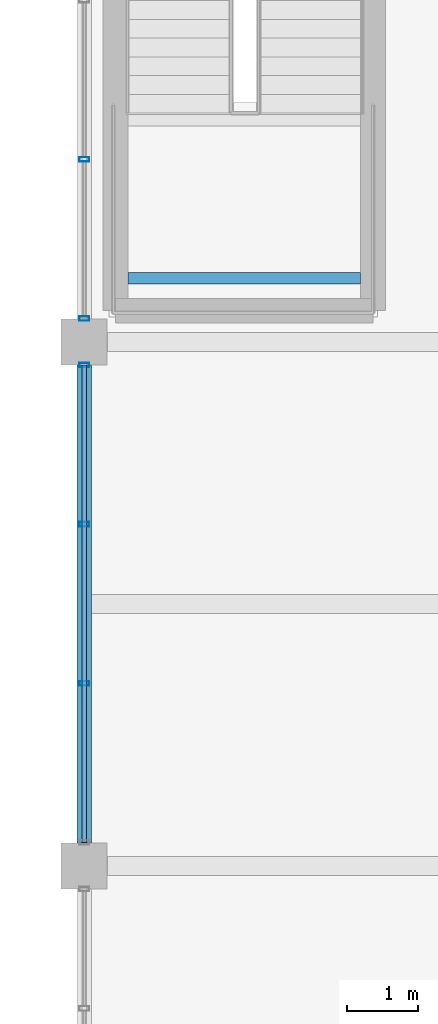
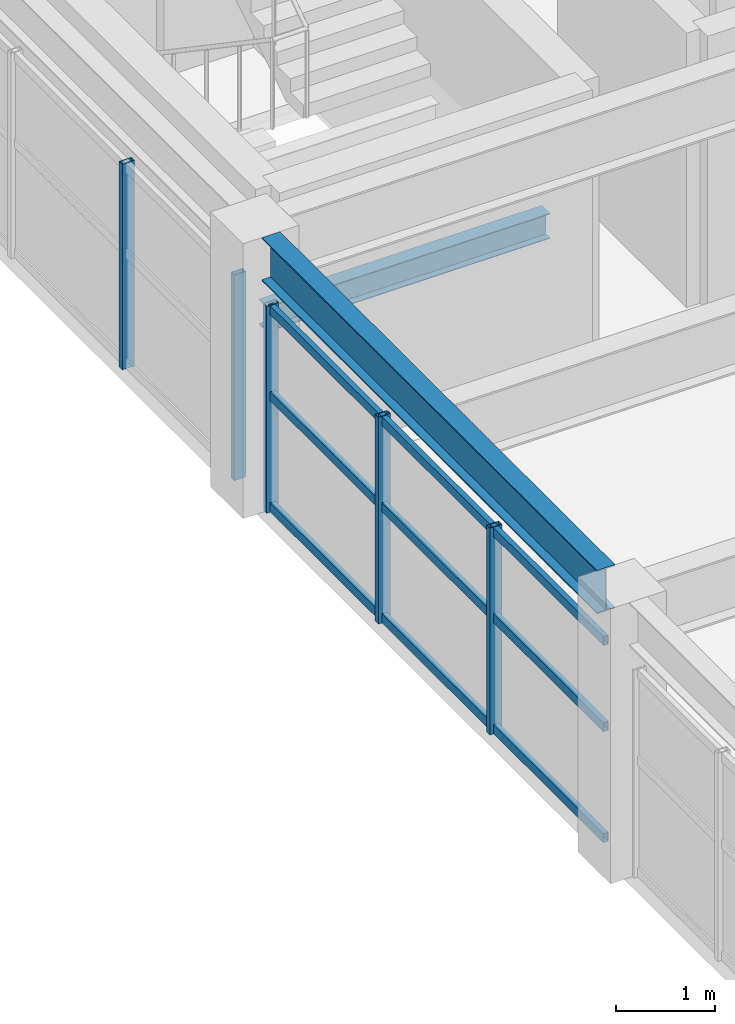
# One storey, part 44 of 93: 8 members, 2 beams, 2 elements without a shape of their own.
"""IFC4 building model written with IfcOpenShell, lengths in metres."""

from ifc_helpers import new_model, si_unit, direction, frame, origin, origin_2d, place, context, subcontext, project, spatial, hollow_rectangle, i_section, extrude, material, material_profile, profile_set, type_object, element, aggregate, save


model = new_model("IFC4")

# Units and contexts
model_context = context("Model", 3, precision=1e-05, world=origin(), true_north=direction((0.0, 1.0)))
body_context = subcontext(model_context, "Body", "Model", "MODEL_VIEW")
ifc_project = project(units=[si_unit("LENGTHUNIT", "METRE"), si_unit("AREAUNIT", "SQUARE_METRE"), si_unit("VOLUMEUNIT", "CUBIC_METRE"), si_unit("PLANEANGLEUNIT", "RADIAN"), si_unit("MASSUNIT", "GRAM", prefix="KILO")], contexts=[model_context])

# Site, building, storey
site_placement = place(None, origin())
site = spatial("IfcSite", under=ifc_project, at=site_placement, CompositionType="ELEMENT")
building_placement = place(site_placement, origin())
building = spatial("IfcBuilding", under=site, at=building_placement, Name="Cimatlan Art Gallery", CompositionType="ELEMENT")
storey_placement = place(building_placement, frame((0.0, 0.0, 13.800048828125)))
storey = spatial("IfcBuildingStorey", under=building, at=storey_placement, Name="L03", CompositionType="ELEMENT", Elevation=13.800048828125)

# Beams
ifc_material_1 = material(Name="Steel ASTM A992 Grade 50", Category="steel")
ifc_material_profile_1 = material_profile(ifc_material_1, i_section(OverallWidth=0.1650390625, OverallDepth=0.31005859375, WebThickness=0.005859375, FlangeThickness=0.009765625, at=origin_2d()), Name="W12X26")
ifc_profile_set_1 = profile_set([ifc_material_profile_1], Name="Steel ASTM A992 Grade 50")
beam_type_1 = type_object("IfcBeamType", Name="BM-STL-W12X26", PredefinedType="JOIST", material=ifc_profile_set_1)
beam_1_placement = place(storey_placement, frame((75.514892578125, 61.800048828125, 1.425048828125), z_axis=(1.0, 0.0, 0.0), x_axis=(0.0, 1.0, 0.0)))
element("IfcBeam", 1, at=beam_1_placement, inside=storey, type_object=beam_type_1, Name="BM-STR-C6-L03-LH1", PredefinedType="JOIST", context=body_context, shape_type="SweptSolid", body=[
    extrude(i_section(OverallWidth=0.1650390625, OverallDepth=0.31005859375, WebThickness=0.005859375, FlangeThickness=0.009765625, at=origin_2d()), origin(), (0.0, 0.0, 1.0), 3.2900390625),
])
ifc_material_profile_2 = material_profile(ifc_material_1, i_section(OverallWidth=0.2099609375, OverallDepth=0.532958984375, WebThickness=0.01025390625, FlangeThickness=0.015625, at=origin_2d()), Name="W21X62")
ifc_profile_set_2 = profile_set([ifc_material_profile_2], Name="Steel ASTM A992 Grade 50")
beam_type_2 = type_object("IfcBeamType", Name="BM-STL-W21X62", PredefinedType="BEAM", material=ifc_profile_set_2)
beam_2_placement = place(storey_placement, frame((74.89990234375, 53.824951171875, 3.113525390625), z_axis=(0.0, 1.0, 0.0), x_axis=(-1.0, 0.0, 0.0)))
element("IfcBeam", 2, at=beam_2_placement, inside=storey, type_object=beam_type_2, Name="BM-Y-L03-09-07", PredefinedType="BEAM", context=body_context, shape_type="SweptSolid", body=[
    extrude(i_section(OverallWidth=0.2099609375, OverallDepth=0.532958984375, WebThickness=0.01025390625, FlangeThickness=0.015625, at=origin_2d()), origin(), (0.0, 0.0, 1.0), 6.75),
])

# Curtain wall, members
ifc_material_2 = material(Name="Anodised bronze unitised curtain wall")
curtain_wall_type_1 = type_object("IfcCurtainWallType", Name="CW-V-06742X02543-B3", PredefinedType="NOTDEFINED", material=ifc_material_2)
curtain_wall_1_placement = place(storey_placement, origin())
curtain_wall_1 = element("IfcCurtainWall", 3, at=curtain_wall_1_placement, inside=storey, type_object=curtain_wall_type_1, Name="CW-L03-09-07-W", PredefinedType="NOTDEFINED")
ifc_material_3 = material(Name="Anodised bronze aluminium 6063-T6", Category="aluminium")
ifc_material_profile_3 = material_profile(ifc_material_3, hollow_rectangle(XDim=0.06494140625, YDim=0.139892578125, WallThickness=0.00390625, at=origin_2d()), Name="ALU65X140X4")
ifc_profile_set_3 = profile_set([ifc_material_profile_3], Name="Anodised bronze aluminium 6063-T6")
member_type_1 = type_object("IfcMemberType", Name="CW-MUL-140", PredefinedType="MULLION", material=ifc_profile_set_3)
member_1_placement = place(storey_placement, frame((74.89990234375, 56.076416015625, 0.0), z_axis=(0.0, 0.0, 1.0), x_axis=(0.0, 1.0, 0.0)))
member_1 = element("IfcMember", 4, at=member_1_placement, type_object=member_type_1, Name="CW-L03-09-07-W-M2", PredefinedType="MULLION", context=body_context, shape_type="SweptSolid", body=[
    extrude(hollow_rectangle(XDim=0.06494140625, YDim=0.139892578125, WallThickness=0.00390625, at=origin_2d()), origin(), (0.0, 0.0, 1.0), 2.54296875),
])
member_2_placement = place(storey_placement, frame((74.89990234375, 58.32373046875, 0.0), z_axis=(0.0, 0.0, 1.0), x_axis=(0.0, 1.0, 0.0)))
member_2 = element("IfcMember", 5, at=member_2_placement, type_object=member_type_1, Name="CW-L03-09-07-W-M3", PredefinedType="MULLION", context=body_context, shape_type="SweptSolid", body=[
    extrude(hollow_rectangle(XDim=0.06494140625, YDim=0.139892578125, WallThickness=0.00390625, at=origin_2d()), origin(), (0.0, 0.0, 1.0), 2.54296875),
])
member_3_placement = place(storey_placement, frame((74.89990234375, 60.571044921875, 0.0), z_axis=(0.0, 0.0, 1.0), x_axis=(0.0, 1.0, 0.0)))
member_3 = element("IfcMember", 6, at=member_3_placement, type_object=member_type_1, Name="CW-L03-09-07-W-M4", PredefinedType="MULLION", context=body_context, shape_type="SweptSolid", body=[
    extrude(hollow_rectangle(XDim=0.06494140625, YDim=0.139892578125, WallThickness=0.00390625, at=origin_2d()), origin(), (0.0, 0.0, 1.0), 2.54296875),
])

curtain_wall_type_2 = type_object("IfcCurtainWallType", Name="CW-V-06742X02528-B3", PredefinedType="NOTDEFINED", material=ifc_material_2)
curtain_wall_2_placement = place(storey_placement, origin())
curtain_wall_2 = element("IfcCurtainWall", 7, at=curtain_wall_2_placement, inside=storey, type_object=curtain_wall_type_2, Name="CW-L03-09-08-W", PredefinedType="NOTDEFINED")
member_4_placement = place(storey_placement, frame((74.89990234375, 61.22900390625, 0.0), z_axis=(0.0, 0.0, 1.0), x_axis=(0.0, 1.0, 0.0)))
member_4 = element("IfcMember", 8, at=member_4_placement, type_object=member_type_1, Name="CW-L03-09-08-W-M1", PredefinedType="MULLION", context=body_context, shape_type="SweptSolid", body=[
    extrude(hollow_rectangle(XDim=0.06494140625, YDim=0.139892578125, WallThickness=0.00390625, at=origin_2d()), origin(), (0.0, 0.0, 1.0), 2.52783203125),
])
member_5_placement = place(storey_placement, frame((74.89990234375, 63.476318359375, 0.0), z_axis=(0.0, 0.0, 1.0), x_axis=(0.0, 1.0, 0.0)))
member_5 = element("IfcMember", 9, at=member_5_placement, type_object=member_type_1, Name="CW-L03-09-08-W-M2", PredefinedType="MULLION", context=body_context, shape_type="SweptSolid", body=[
    extrude(hollow_rectangle(XDim=0.06494140625, YDim=0.139892578125, WallThickness=0.00390625, at=origin_2d()), origin(), (0.0, 0.0, 1.0), 2.52783203125),
])
aggregate(curtain_wall_2, [member_4, member_5])

# Member
ifc_material_profile_4 = material_profile(ifc_material_3, hollow_rectangle(XDim=0.06005859375, YDim=0.110107421875, WallThickness=0.00341796875, at=origin_2d()), Name="ALU60X110X3")
ifc_profile_set_4 = profile_set([ifc_material_profile_4], Name="Anodised bronze aluminium 6063-T6")
member_type_2 = type_object("IfcMemberType", Name="CW-TRN-110", PredefinedType="USERDEFINED", material=ifc_profile_set_4)
member_6_placement = place(storey_placement, frame((74.89990234375, 53.8291015625, 0.06005859375), z_axis=(0.0, 1.0, 0.0), x_axis=(-1.0, 0.0, 0.0)))
member_6 = element("IfcMember", 10, at=member_6_placement, type_object=member_type_2, Name="CW-L03-09-07-W-T1", ObjectType="TRANSOM", PredefinedType="USERDEFINED", context=body_context, shape_type="SweptSolid", body=[
    extrude(hollow_rectangle(XDim=0.06005859375, YDim=0.110107421875, WallThickness=0.00341796875, at=origin_2d()), origin(), (0.0, 0.0, 1.0), 6.741943359375),
])

member_7_placement = place(storey_placement, frame((74.89990234375, 53.8291015625, 1.424072265625), z_axis=(0.0, 1.0, 0.0), x_axis=(-1.0, 0.0, 0.0)))
member_7 = element("IfcMember", 11, at=member_7_placement, type_object=member_type_2, Name="CW-L03-09-07-W-T2", ObjectType="TRANSOM", PredefinedType="USERDEFINED", context=body_context, shape_type="SweptSolid", body=[
    extrude(hollow_rectangle(XDim=0.06005859375, YDim=0.110107421875, WallThickness=0.00341796875, at=origin_2d()), origin(), (0.0, 0.0, 1.0), 6.741943359375),
])

member_8_placement = place(storey_placement, frame((74.89990234375, 53.8291015625, 2.48291015625), z_axis=(0.0, 1.0, 0.0), x_axis=(-1.0, 0.0, 0.0)))
member_8 = element("IfcMember", 12, at=member_8_placement, type_object=member_type_2, Name="CW-L03-09-07-W-T3", ObjectType="TRANSOM", PredefinedType="USERDEFINED", context=body_context, shape_type="SweptSolid", body=[
    extrude(hollow_rectangle(XDim=0.06005859375, YDim=0.110107421875, WallThickness=0.00341796875, at=origin_2d()), origin(), (0.0, 0.0, 1.0), 6.741943359375),
])

aggregate(curtain_wall_1, [member_1, member_2, member_3, member_6, member_7, member_8])

save(model, "model.ifc")
